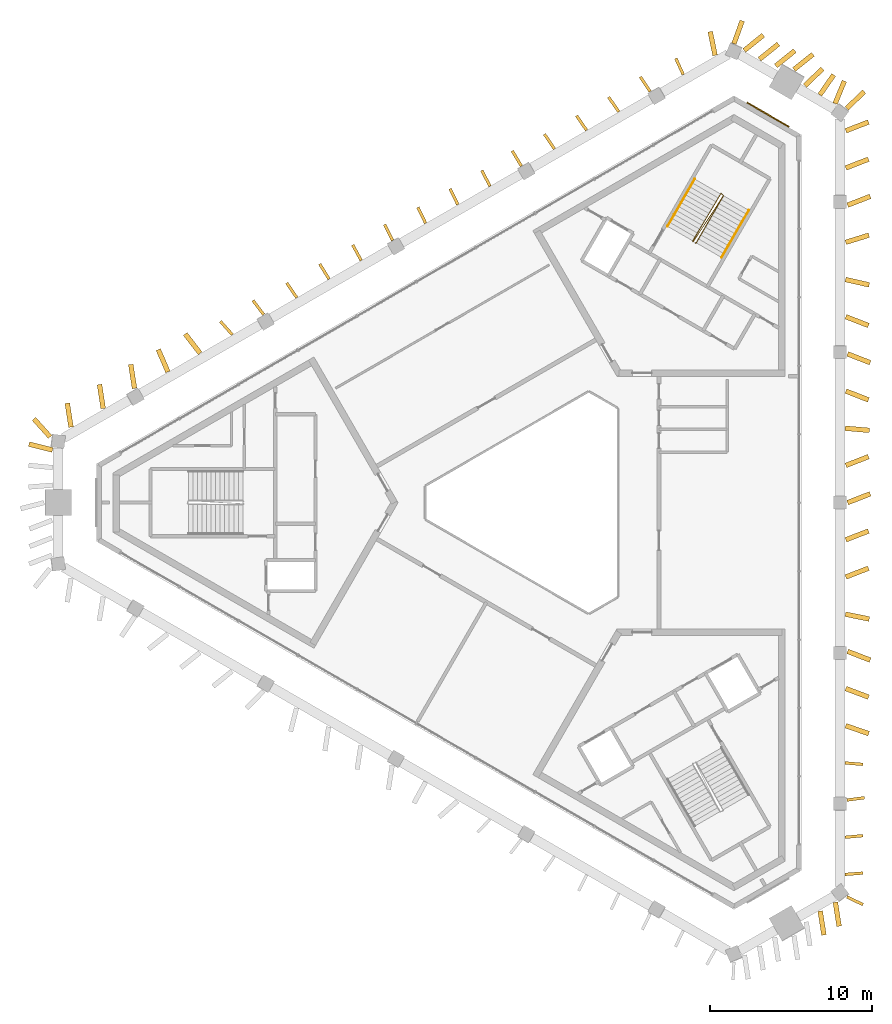
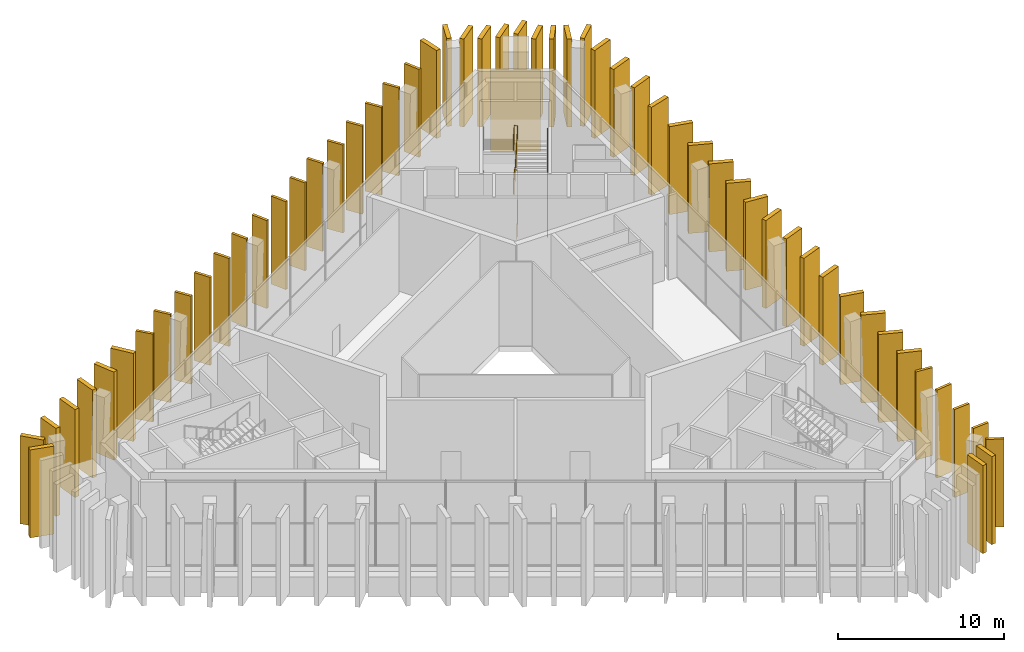
# One storey, part 13 of 13: 56 shading devices, 5 railings, 1 covering.
"""IFC4 building model written with IfcOpenShell, lengths in metres."""

from ifc_helpers import new_model, si_unit, direction, frame, frame_2d, origin, origin_2d, place, context, subcontext, project, spatial, rectangle, circle, extrude, material, layer, layer_set, type_object, element, save


model = new_model("IFC4")

# Units and contexts
model_context = context("Model", 3, precision=1e-05, world=origin(), true_north=direction((0.0, 1.0)))
body_context = subcontext(model_context, "Body", "Model", "MODEL_VIEW")
ifc_project = project(units=[si_unit("LENGTHUNIT", "METRE"), si_unit("AREAUNIT", "SQUARE_METRE"), si_unit("VOLUMEUNIT", "CUBIC_METRE"), si_unit("PLANEANGLEUNIT", "RADIAN"), si_unit("MASSUNIT", "GRAM", prefix="KILO")], contexts=[model_context])

# Site, building, storey
site_placement = place(None, origin())
site = spatial("IfcSite", under=ifc_project, at=site_placement, CompositionType="ELEMENT")
building_placement = place(site_placement, origin())
building = spatial("IfcBuilding", under=site, at=building_placement, Name="Jabali Bay Hotel Tower and Convention Centre", CompositionType="ELEMENT")
storey_placement = place(building_placement, frame((0.0, 0.0, 315.800048828125)))
storey = spatial("IfcBuildingStorey", under=building, at=storey_placement, Name="L77", CompositionType="ELEMENT", Elevation=315.800048828125)

# Shading devices
ifc_material_1 = material(Name="Precast concrete C60", Category="concrete")
ifc_layer_1 = layer(ifc_material_1, 0.179931640625)
ifc_layer_set_1 = layer_set([ifc_layer_1], Name="Precast concrete C60")
shading_device_type_1 = type_object("IfcShadingDeviceType", Name="Precast fin 6480 x 1100", PredefinedType="USERDEFINED", material=ifc_layer_set_1)
shading_device_1_placement = place(storey_placement, frame((93.57958984375, 57.056640625, 0.010009765625), z_axis=(0.0, 0.0, 1.0), x_axis=(0.996872890878, 0.079021765565, 0.0)))
element("IfcShadingDevice", 1, at=shading_device_1_placement, inside=storey, type_object=shading_device_type_1, Name="Fin L77 000", ObjectType="FIN", PredefinedType="USERDEFINED", context=body_context, shape_type="SweptSolid", body=[
    extrude(rectangle(XDim=1.099853515625, YDim=0.179931640625, at=frame_2d((0.5498046875, 0.0))), origin(), (0.0, 0.0, 1.0), 6.47998046875),
])
for number, where, z_axis, x_axis, name in (
    (2, (93.58056640625, 59.350830078125, 0.010009765625), (0.0, 0.0, 1.0), (0.995871346769, 0.09077588162, 0.0), "Fin L77 001"),
    (3, (93.69189453125, 61.645263671875, 0.010009765625), (0.0, 0.0, 1.0), (0.991183262489, 0.132498076065, 0.0), "Fin L77 002"),
):
    element("IfcShadingDevice", number, at=place(storey_placement, frame(where, z_axis=z_axis, x_axis=x_axis)), inside=storey, type_object=shading_device_type_1, Name=name, ObjectType="FIN", PredefinedType="USERDEFINED", context=body_context, shape_type="SweptSolid", body=[
        extrude(rectangle(XDim=1.10009765625, YDim=0.179931640625, at=frame_2d((0.550048828125, 0.0))), origin(), (0.0, 0.0, 1.0), 6.47998046875),
    ])
shading_device_2_placement = place(storey_placement, frame((93.580078125, 63.939697265625, 0.010009765625), z_axis=(0.0, 0.0, 1.0), x_axis=(0.996473431683, -0.083908878854, 0.0)))
element("IfcShadingDevice", 4, at=shading_device_2_placement, inside=storey, type_object=shading_device_type_1, Name="Fin L77 003", ObjectType="FIN", PredefinedType="USERDEFINED", context=body_context, shape_type="SweptSolid", body=[
    extrude(rectangle(XDim=1.099853515625, YDim=0.179931640625, at=frame_2d((0.5498046875, 0.0))), origin(), (0.0, 0.0, 1.0), 6.47998046875),
])
shading_device_3_placement = place(storey_placement, frame((83.59228515625, 106.416015625, 0.010009765625), z_axis=(0.0, 0.0, 1.0), x_axis=(-0.417044438413, 0.908886096488, 0.0)))
element("IfcShadingDevice", 5, at=shading_device_3_placement, inside=storey, type_object=shading_device_type_1, Name="Fin L77 029", ObjectType="FIN", PredefinedType="USERDEFINED", context=body_context, shape_type="SweptSolid", body=[
    extrude(rectangle(XDim=1.10009765625, YDim=0.179931640625, at=frame_2d((0.550048828125, 0.0))), origin(), (0.0, 0.0, 1.0), 6.47998046875),
])
for number, where, z_axis, x_axis, name in (
    (6, (81.552734375, 105.35986328125, 0.010009765625), (0.0, 0.0, 1.0), (-0.556235907854, 0.831024436953, 0.0), "Fin L77 030"),
    (7, (79.61865234375, 104.121337890625, 0.010009765625), (0.0, 0.0, 1.0), (-0.574415312802, 0.818564016079, 0.0), "Fin L77 031"),
    (8, (77.632080078125, 102.973388671875, 0.010009765625), (0.0, 0.0, 1.0), (-0.566425200883, 0.824113154733, 0.0), "Fin L77 032"),
):
    element("IfcShadingDevice", number, at=place(storey_placement, frame(where, z_axis=z_axis, x_axis=x_axis)), inside=storey, type_object=shading_device_type_1, Name=name, ObjectType="FIN", PredefinedType="USERDEFINED", context=body_context, shape_type="SweptSolid", body=[
        extrude(rectangle(XDim=1.099853515625, YDim=0.179931640625, at=frame_2d((0.5498046875, 0.0))), origin(), (0.0, 0.0, 1.0), 6.47998046875),
    ])
for number, where, z_axis, x_axis, name in (
    (9, (75.645263671875, 101.82568359375, 0.010009765625), (0.0, 0.0, 1.0), (-0.560627290637, 0.828068258656, 0.0), "Fin L77 033"),
    (10, (73.607177734375, 100.767333984375, 0.010009765625), (0.0, 0.0, 1.0), (-0.515539742918, 0.856865668277, 0.0), "Fin L77 034"),
    (11, (71.673095703125, 99.528564453125, 0.010009765625), (0.0, 0.0, 1.0), (-0.468040661997, 0.883706930332, 0.0), "Fin L77 035"),
):
    element("IfcShadingDevice", number, at=place(storey_placement, frame(where, z_axis=z_axis, x_axis=x_axis)), inside=storey, type_object=shading_device_type_1, Name=name, ObjectType="FIN", PredefinedType="USERDEFINED", context=body_context, shape_type="SweptSolid", body=[
        extrude(rectangle(XDim=1.10009765625, YDim=0.179931640625, at=frame_2d((0.550048828125, 0.0))), origin(), (0.0, 0.0, 1.0), 6.47998046875),
    ])
shading_device_4_placement = place(storey_placement, frame((69.684326171875, 98.38427734375, 0.010009765625), z_axis=(0.0, 0.0, 1.0), x_axis=(-0.434829759233, 0.900512676471, 0.0)))
element("IfcShadingDevice", 12, at=shading_device_4_placement, inside=storey, type_object=shading_device_type_1, Name="Fin L77 036", ObjectType="FIN", PredefinedType="USERDEFINED", context=body_context, shape_type="SweptSolid", body=[
    extrude(rectangle(XDim=1.099853515625, YDim=0.179931640625, at=frame_2d((0.5498046875, 0.0))), origin(), (0.0, 0.0, 1.0), 6.47998046875),
])
shading_device_5_placement = place(storey_placement, frame((67.697509765625, 97.237060546875, 0.010009765625), z_axis=(0.0, 0.0, 1.0), x_axis=(-0.434115881841, 0.900857037011, 0.0)))
element("IfcShadingDevice", 13, at=shading_device_5_placement, inside=storey, type_object=shading_device_type_1, Name="Fin L77 037", ObjectType="FIN", PredefinedType="USERDEFINED", context=body_context, shape_type="SweptSolid", body=[
    extrude(rectangle(XDim=1.10009765625, YDim=0.179931640625, at=frame_2d((0.550048828125, 0.0))), origin(), (0.0, 0.0, 1.0), 6.47998046875),
])
for number, where, z_axis, x_axis, name in (
    (14, (65.6572265625, 96.18212890625, 0.010009765625), (0.0, 0.0, 1.0), (-0.444814783853, 0.895622581262, 0.0), "Fin L77 038"),
    (15, (63.725830078125, 94.938720703125, 0.010009765625), (0.0, 0.0, 1.0), (-0.480981226833, 0.876730893396, 0.0), "Fin L77 039"),
):
    element("IfcShadingDevice", number, at=place(storey_placement, frame(where, z_axis=z_axis, x_axis=x_axis)), inside=storey, type_object=shading_device_type_1, Name=name, ObjectType="FIN", PredefinedType="USERDEFINED", context=body_context, shape_type="SweptSolid", body=[
        extrude(rectangle(XDim=1.099853515625, YDim=0.179931640625, at=frame_2d((0.5498046875, 0.0))), origin(), (0.0, 0.0, 1.0), 6.47998046875),
    ])
for number, where, z_axis, x_axis, name in (
    (16, (61.738525390625, 93.7919921875, 0.010009765625), (0.0, 0.0, 1.0), (-0.523800191345, 0.851841158636, 0.0), "Fin L77 040"),
    (17, (59.74951171875, 92.648681640625, 0.010009765625), (0.0, 0.0, 1.0), (-0.565662039445, 0.824637166959, 0.0), "Fin L77 041"),
    (18, (57.706787109375, 91.59814453125, 0.010009765625), (0.0, 0.0, 1.0), (-0.602553627562, 0.798078395843, 0.0), "Fin L77 042"),
):
    element("IfcShadingDevice", number, at=place(storey_placement, frame(where, z_axis=z_axis, x_axis=x_axis)), inside=storey, type_object=shading_device_type_1, Name=name, ObjectType="FIN", PredefinedType="USERDEFINED", context=body_context, shape_type="SweptSolid", body=[
        extrude(rectangle(XDim=1.10009765625, YDim=0.179931640625, at=frame_2d((0.550048828125, 0.0))), origin(), (0.0, 0.0, 1.0), 6.47998046875),
    ])
for number, where, z_axis, x_axis, name in (
    (19, (55.769775390625, 90.3642578125, 0.010009765625), (0.0, 0.0, 1.0), (-0.666963525344, 0.74509036758, 0.0), "Fin L77 043"),
    (20, (93.6943359375, 55.670166015625, 0.010009765625), (0.0, 0.0, 1.0), (0.901889903186, -0.431965973812, 0.0), "Fin L77 084"),
):
    element("IfcShadingDevice", number, at=place(storey_placement, frame(where, z_axis=z_axis, x_axis=x_axis)), inside=storey, type_object=shading_device_type_1, Name=name, ObjectType="FIN", PredefinedType="USERDEFINED", context=body_context, shape_type="SweptSolid", body=[
        extrude(rectangle(XDim=1.099853515625, YDim=0.179931640625, at=frame_2d((0.5498046875, 0.0))), origin(), (0.0, 0.0, 1.0), 6.47998046875),
    ])
ifc_layer_2 = layer(ifc_material_1, 0.300048828125)
ifc_layer_set_2 = layer_set([ifc_layer_2], Name="Precast concrete C60")
shading_device_type_2 = type_object("IfcShadingDeviceType", Name="Precast fin 6480 x 1500", PredefinedType="USERDEFINED", material=ifc_layer_set_2)
shading_device_6_placement = place(storey_placement, frame((93.620849609375, 66.23388671875, 0.010009765625), z_axis=(0.0, 0.0, 1.0), x_axis=(0.946163984953, -0.323687679063, 0.0)))
element("IfcShadingDevice", 21, at=shading_device_6_placement, inside=storey, type_object=shading_device_type_2, Name="Fin L77 004", ObjectType="FIN", PredefinedType="USERDEFINED", context=body_context, shape_type="SweptSolid", body=[
    extrude(rectangle(XDim=1.500244140625, YDim=0.300048828125, at=frame_2d((0.75, 0.0))), origin(), (0.0, 0.0, 1.0), 6.47998046875),
])
for number, where, z_axis, x_axis, name in (
    (22, (93.62548828125, 68.5283203125, 0.010009765625), (0.0, 0.0, 1.0), (0.935187216217, -0.354153738686, 0.0), "Fin L77 005"),
    (23, (93.73388671875, 70.822509765625, 0.010009765625), (0.0, 0.0, 1.0), (0.932811813391, -0.36036387277, 0.0), "Fin L77 006"),
):
    element("IfcShadingDevice", number, at=place(storey_placement, frame(where, z_axis=z_axis, x_axis=x_axis)), inside=storey, type_object=shading_device_type_2, Name=name, ObjectType="FIN", PredefinedType="USERDEFINED", context=body_context, shape_type="SweptSolid", body=[
        extrude(rectangle(XDim=1.5, YDim=0.300048828125, at=frame_2d((0.75, 0.0))), origin(), (0.0, 0.0, 1.0), 6.47998046875),
    ])
shading_device_7_placement = place(storey_placement, frame((93.6025390625, 73.116943359375, 0.010009765625), z_axis=(0.0, 0.0, 1.0), x_axis=(0.9797519579, -0.20021513677, 0.0)))
element("IfcShadingDevice", 24, at=shading_device_7_placement, inside=storey, type_object=shading_device_type_2, Name="Fin L77 007", ObjectType="FIN", PredefinedType="USERDEFINED", context=body_context, shape_type="SweptSolid", body=[
    extrude(rectangle(XDim=1.499755859375, YDim=0.300048828125, at=frame_2d((0.75, 0.0))), origin(), (0.0, 0.0, 1.0), 6.47998046875),
])
for number, where, z_axis, x_axis, name in (
    (25, (93.626708984375, 75.411376953125, 0.010009765625), (0.0, 0.0, 1.0), (0.932254906917, 0.361802140027, 0.0), "Fin L77 008"),
    (26, (93.626708984375, 77.70556640625, 0.010009765625), (0.0, 0.0, 1.0), (0.932254906917, 0.361802140027, 0.0), "Fin L77 009"),
    (27, (93.734130859375, 80.0, 0.010009765625), (0.0, 0.0, 1.0), (0.932254906917, 0.361802140027, 0.0), "Fin L77 010"),
    (28, (93.626708984375, 82.29443359375, 0.010009765625), (0.0, 0.0, 1.0), (0.932254906917, 0.361802140027, 0.0), "Fin L77 011"),
    (29, (93.58544921875, 84.588623046875, 0.010009765625), (0.0, 0.0, 1.0), (0.996272279882, -0.086264386267, 0.0), "Fin L77 012"),
    (30, (93.626708984375, 86.883056640625, 0.010009765625), (0.0, 0.0, 1.0), (0.932254906917, -0.361802140027, 0.0), "Fin L77 013"),
):
    element("IfcShadingDevice", number, at=place(storey_placement, frame(where, z_axis=z_axis, x_axis=x_axis)), inside=storey, type_object=shading_device_type_2, Name=name, ObjectType="FIN", PredefinedType="USERDEFINED", context=body_context, shape_type="SweptSolid", body=[
        extrude(rectangle(XDim=1.5, YDim=0.300048828125, at=frame_2d((0.75, 0.0))), origin(), (0.0, 0.0, 1.0), 6.47998046875),
    ])
shading_device_8_placement = place(storey_placement, frame((93.734130859375, 89.177490234375, 0.010009765625), z_axis=(0.0, 0.0, 1.0), x_axis=(0.932200003828, -0.361943576905, 0.0)))
element("IfcShadingDevice", 31, at=shading_device_8_placement, inside=storey, type_object=shading_device_type_2, Name="Fin L77 014", ObjectType="FIN", PredefinedType="USERDEFINED", context=body_context, shape_type="SweptSolid", body=[
    extrude(rectangle(XDim=1.500244140625, YDim=0.300048828125, at=frame_2d((0.75, 0.0))), origin(), (0.0, 0.0, 1.0), 6.47998046875),
])
for number, where, z_axis, x_axis, name in (
    (32, (93.626708984375, 91.4716796875, 0.010009765625), (0.0, 0.0, 1.0), (0.932254906917, -0.361802140027, 0.0), "Fin L77 015"),
    (33, (93.60546875, 93.76611328125, 0.010009765625), (0.0, 0.0, 1.0), (0.975450025837, -0.220220905216, 0.0), "Fin L77 016"),
):
    element("IfcShadingDevice", number, at=place(storey_placement, frame(where, z_axis=z_axis, x_axis=x_axis)), inside=storey, type_object=shading_device_type_2, Name=name, ObjectType="FIN", PredefinedType="USERDEFINED", context=body_context, shape_type="SweptSolid", body=[
        extrude(rectangle(XDim=1.5, YDim=0.300048828125, at=frame_2d((0.75, 0.0))), origin(), (0.0, 0.0, 1.0), 6.47998046875),
    ])
shading_device_9_placement = place(storey_placement, frame((93.61669921875, 96.060302734375, 0.010009765625), z_axis=(0.0, 0.0, 1.0), x_axis=(0.955281512697, 0.295697871988, 0.0)))
element("IfcShadingDevice", 34, at=shading_device_9_placement, inside=storey, type_object=shading_device_type_2, Name="Fin L77 017", ObjectType="FIN", PredefinedType="USERDEFINED", context=body_context, shape_type="SweptSolid", body=[
    extrude(rectangle(XDim=1.500244140625, YDim=0.300048828125, at=frame_2d((0.75, 0.0))), origin(), (0.0, 0.0, 1.0), 6.47998046875),
])
for number, where, z_axis, x_axis, name in (
    (35, (93.734130859375, 98.354736328125, 0.010009765625), (0.0, 0.0, 1.0), (0.932254906917, 0.361802140027, 0.0), "Fin L77 018"),
    (36, (93.626708984375, 100.649169921875, 0.010009765625), (0.0, 0.0, 1.0), (0.932254906917, 0.361802140027, 0.0), "Fin L77 019"),
    (37, (93.626708984375, 102.943359375, 0.010009765625), (0.0, 0.0, 1.0), (0.932254906917, 0.361802140027, 0.0), "Fin L77 020"),
):
    element("IfcShadingDevice", number, at=place(storey_placement, frame(where, z_axis=z_axis, x_axis=x_axis)), inside=storey, type_object=shading_device_type_2, Name=name, ObjectType="FIN", PredefinedType="USERDEFINED", context=body_context, shape_type="SweptSolid", body=[
        extrude(rectangle(XDim=1.5, YDim=0.300048828125, at=frame_2d((0.75, 0.0))), origin(), (0.0, 0.0, 1.0), 6.47998046875),
    ])
shading_device_10_placement = place(storey_placement, frame((92.96484375, 104.62646484375, 0.010009765625), z_axis=(0.0, 0.0, 1.0), x_axis=(0.381134471623, 0.924519612848, 0.0)))
element("IfcShadingDevice", 38, at=shading_device_10_placement, inside=storey, type_object=shading_device_type_2, Name="Fin L77 021", ObjectType="FIN", PredefinedType="USERDEFINED", context=body_context, shape_type="SweptSolid", body=[
    extrude(rectangle(XDim=1.500244140625, YDim=0.300048828125, at=frame_2d((0.75, 0.0))), origin(), (0.0, 0.0, 1.0), 6.47998046875),
])
for number, where, z_axis, x_axis, name in (
    (39, (92.0244140625, 105.160888671875, 0.010009765625), (0.0, 0.0, 1.0), (0.56963305943, 0.821899128607, 0.0), "Fin L77 022"),
    (40, (91.1025390625, 105.72705078125, 0.010009765625), (0.0, 0.0, 1.0), (0.720886233518, 0.693053416645, 0.0), "Fin L77 023"),
):
    element("IfcShadingDevice", number, at=place(storey_placement, frame(where, z_axis=z_axis, x_axis=x_axis)), inside=storey, type_object=shading_device_type_2, Name=name, ObjectType="FIN", PredefinedType="USERDEFINED", context=body_context, shape_type="SweptSolid", body=[
        extrude(rectangle(XDim=1.5, YDim=0.300048828125, at=frame_2d((0.75, 0.0))), origin(), (0.0, 0.0, 1.0), 6.47998046875),
    ])
shading_device_11_placement = place(storey_placement, frame((90.428466796875, 106.722900390625, 0.010009765625), z_axis=(0.0, 0.0, 1.0), x_axis=(0.77953306199, 0.626361082176, 0.0)))
element("IfcShadingDevice", 41, at=shading_device_11_placement, inside=storey, type_object=shading_device_type_2, Name="Fin L77 024", ObjectType="FIN", PredefinedType="USERDEFINED", context=body_context, shape_type="SweptSolid", body=[
    extrude(rectangle(XDim=1.499755859375, YDim=0.300048828125, at=frame_2d((0.75, 0.0))), origin(), (0.0, 0.0, 1.0), 6.47998046875),
])
for number, where, z_axis, x_axis, name in (
    (42, (89.30908203125, 106.947265625, 0.010009765625), (0.0, 0.0, 1.0), (0.779453585439, 0.626459981281, 0.0), "Fin L77 025"),
    (43, (88.298583984375, 107.3603515625, 0.010009765625), (0.0, 0.0, 1.0), (0.779453585439, 0.626459981281, 0.0), "Fin L77 026"),
    (44, (87.362060546875, 107.901123046875, 0.010009765625), (0.0, 0.0, 1.0), (0.779453585439, 0.626459981281, 0.0), "Fin L77 027"),
):
    element("IfcShadingDevice", number, at=place(storey_placement, frame(where, z_axis=z_axis, x_axis=x_axis)), inside=storey, type_object=shading_device_type_2, Name=name, ObjectType="FIN", PredefinedType="USERDEFINED", context=body_context, shape_type="SweptSolid", body=[
        extrude(rectangle(XDim=1.5, YDim=0.300048828125, at=frame_2d((0.75, 0.0))), origin(), (0.0, 0.0, 1.0), 6.47998046875),
    ])
shading_device_12_placement = place(storey_placement, frame((85.559814453125, 107.596923828125, 0.010009765625), z_axis=(0.0, 0.0, 1.0), x_axis=(-0.201685071404, 0.979450423438, 0.0)))
element("IfcShadingDevice", 45, at=shading_device_12_placement, inside=storey, type_object=shading_device_type_2, Name="Fin L77 028", ObjectType="FIN", PredefinedType="USERDEFINED", context=body_context, shape_type="SweptSolid", body=[
    extrude(rectangle(XDim=1.499755859375, YDim=0.300048828125, at=frame_2d((0.75, 0.0))), origin(), (0.0, 0.0, 1.0), 6.47998046875),
])
for number, where, z_axis, x_axis, name in (
    (46, (53.781982421875, 89.218505859375, 0.010009765625), (0.0, 0.0, 1.0), (-0.610984185284, 0.791642801605, 0.0), "Fin L77 044"),
    (47, (51.79638671875, 88.069091796875, 0.010009765625), (0.0, 0.0, 1.0), (-0.395843547095, 0.918317965752, 0.0), "Fin L77 045"),
    (48, (49.7373046875, 87.046630859375, 0.010009765625), (0.0, 0.0, 1.0), (-0.154625132097, 0.987973212453, 0.0), "Fin L77 046"),
):
    element("IfcShadingDevice", number, at=place(storey_placement, frame(where, z_axis=z_axis, x_axis=x_axis)), inside=storey, type_object=shading_device_type_2, Name=name, ObjectType="FIN", PredefinedType="USERDEFINED", context=body_context, shape_type="SweptSolid", body=[
        extrude(rectangle(XDim=1.5, YDim=0.300048828125, at=frame_2d((0.75, 0.0))), origin(), (0.0, 0.0, 1.0), 6.47998046875),
    ])
shading_device_13_placement = place(storey_placement, frame((47.803955078125, 85.806640625, 0.010009765625), z_axis=(0.0, 0.0, 1.0), x_axis=(-0.153011198733, 0.988224454799, 0.0)))
element("IfcShadingDevice", 49, at=shading_device_13_placement, inside=storey, type_object=shading_device_type_2, Name="Fin L77 047", ObjectType="FIN", PredefinedType="USERDEFINED", context=body_context, shape_type="SweptSolid", body=[
    extrude(rectangle(XDim=1.499755859375, YDim=0.300048828125, at=frame_2d((0.75, 0.0))), origin(), (0.0, 0.0, 1.0), 6.47998046875),
])
for number, where, z_axis, x_axis, name in (
    (50, (45.817138671875, 84.659423828125, 0.010009765625), (0.0, 0.0, 1.0), (-0.152827640661, 0.988252858458, 0.0), "Fin L77 048"),
    (51, (44.675048828125, 83.244873046875, 0.010009765625), (0.0, 0.0, 1.0), (-0.969661935485, 0.244449853491, 0.0), "Fin L77 049"),
):
    element("IfcShadingDevice", number, at=place(storey_placement, frame(where, z_axis=z_axis, x_axis=x_axis)), inside=storey, type_object=shading_device_type_2, Name=name, ObjectType="FIN", PredefinedType="USERDEFINED", context=body_context, shape_type="SweptSolid", body=[
        extrude(rectangle(XDim=1.5, YDim=0.300048828125, at=frame_2d((0.75, 0.0))), origin(), (0.0, 0.0, 1.0), 6.47998046875),
    ])
shading_device_14_placement = place(storey_placement, frame((92.04541015625, 54.802734375, 0.010009765625), z_axis=(0.0, 0.0, 1.0), x_axis=(0.15285222595, -0.988249056171, 0.0)))
element("IfcShadingDevice", 52, at=shading_device_14_placement, inside=storey, type_object=shading_device_type_2, Name="Fin L77 082", ObjectType="FIN", PredefinedType="USERDEFINED", context=body_context, shape_type="SweptSolid", body=[
    extrude(rectangle(XDim=1.499755859375, YDim=0.300048828125, at=frame_2d((0.75, 0.0))), origin(), (0.0, 0.0, 1.0), 6.47998046875),
])
for number, where, z_axis, x_axis, name in (
    (53, (92.982177734375, 55.34375, 0.010009765625), (0.0, 0.0, 1.0), (0.152827640661, -0.988252858458, 0.0), "Fin L77 083"),
    (54, (93.677734375, 104.3203125, 0.010009765625), (0.0, 0.0, 1.0), (0.722797364389, 0.691060033595, 0.0), "Fin L77 085"),
    (55, (86.72314453125, 108.318359375, 0.010009765625), (0.0, 0.0, 1.0), (0.339860442393, 0.94047587938, 0.0), "Fin L77 086"),
    (56, (44.529296875, 84.0556640625, 0.010009765625), (0.0, 0.0, 1.0), (-0.669108595814, 0.743164643271, 0.0), "Fin L77 087"),
):
    element("IfcShadingDevice", number, at=place(storey_placement, frame(where, z_axis=z_axis, x_axis=x_axis)), inside=storey, type_object=shading_device_type_2, Name=name, ObjectType="FIN", PredefinedType="USERDEFINED", context=body_context, shape_type="SweptSolid", body=[
        extrude(rectangle(XDim=1.5, YDim=0.300048828125, at=frame_2d((0.75, 0.0))), origin(), (0.0, 0.0, 1.0), 6.47998046875),
    ])

# Covering
ifc_material_2 = material(Name="Precast concrete C40/50", Category="concrete")
ifc_layer_3 = layer(ifc_material_2, 0.080078125)
ifc_layer_set_3 = layer_set([ifc_layer_3], Name="Precast concrete C40/50")
covering_type = type_object("IfcCoveringType", Name="Relief panel 3000 x 6000", PredefinedType="CLADDING", material=ifc_layer_set_3)
covering_placement = place(storey_placement, frame((88.821533203125, 103.939697265625, 0.099853515625), z_axis=(0.0, 0.0, 1.0), x_axis=(0.866025407005, -0.499999994423, 0.0)))
element("IfcCovering", 57, at=covering_placement, inside=storey, type_object=covering_type, Name="Relief panel L77", PredefinedType="CLADDING", context=body_context, shape_type="SweptSolid", body=[
    extrude(rectangle(XDim=3.0, YDim=0.080078125, at=origin_2d()), origin(), (0.0, 0.0, 1.0), 6.0),
])

# Railings
ifc_material_3 = material(Name="Steel Q355B", Category="steel")
railing_type_1 = type_object("IfcRailingType", Name="Stair guard 1100", PredefinedType="GUARDRAIL", material=ifc_material_3)
railing_1_placement = place(storey_placement, frame((84.329833984375, 96.010009765625, 0.0)))
element("IfcRailing", 58, at=railing_1_placement, inside=storey, type_object=railing_type_1, Name="L77 ST2 stair guard 1", PredefinedType="GUARDRAIL", context=body_context, shape_type="SweptSolid", body=[
    extrude(circle(Radius=0.02392578125, at=origin_2d()), frame((0.0, 0.0, 1.076171875), z_axis=(0.475898071169, 0.127472697635, 0.870213615852), x_axis=(-0.258736085224, 0.965948051503, 0.0)), (0.0, 0.0, 1.0), 0.1435546875),
    extrude(circle(Radius=0.02392578125, at=origin_2d()), frame((0.068359375, 0.018310546875, 1.201171875), z_axis=(0.456624160301, 0.790765292425, 0.407657489231), x_axis=(-0.865989548921, 0.500062097304, 0.0)), (0.0, 0.0, 1.0), 3.679443359375),
    extrude(circle(Radius=0.02392578125, at=origin_2d()), frame((1.74853515625, 2.927978515625, 2.701171875), z_axis=(-0.719421848781, 0.694573396767, 0.0), x_axis=(-0.694573396767, -0.719421848781, 0.0)), (0.0, 0.0, 1.0), 0.206298828125),
    extrude(circle(Radius=0.02392578125, at=origin_2d()), frame((1.60009765625, 3.0712890625, 2.701171875), z_axis=(-0.462805620812, -0.775091161904, 0.430168162564), x_axis=(0.858590100392, -0.512662695648, 0.0)), (0.0, 0.0, 1.0), 3.777587890625),
    extrude(circle(Radius=0.02392578125, at=origin_2d()), frame((-0.148193359375, 0.143310546875, 4.326171875), z_axis=(0.258736085224, -0.965948051503, 0.0), x_axis=(0.965948051503, 0.258736085224, 0.0)), (0.0, 0.0, 1.0), 0.07080078125),
    extrude(circle(Radius=0.02392578125, at=origin_2d()), frame((-0.1298828125, 0.074951171875, 4.326171875), z_axis=(0.496580839334, 0.754229748955, 0.429586959528), x_axis=(-0.835225310165, 0.549907884341, 0.0)), (0.0, 0.0, 1.0), 3.78271484375),
    extrude(circle(Radius=0.02392578125, at=origin_2d()), frame((1.74853515625, 2.927978515625, 5.951171875), z_axis=(-0.719421848781, 0.694573396767, 0.0), x_axis=(-0.694573396767, -0.719421848781, 0.0)), (0.0, 0.0, 1.0), 0.206298828125),
    extrude(circle(Radius=0.02392578125, at=origin_2d()), frame((1.60009765625, 3.0712890625, 5.951171875), z_axis=(-0.462805620812, -0.775091161904, 0.430168162564), x_axis=(0.858590100392, -0.512662695648, 0.0)), (0.0, 0.0, 1.0), 3.777587890625),
    extrude(circle(Radius=0.02099609375, at=origin_2d()), origin(), (0.0, 0.0, 1.0), 1.052001953125),
    extrude(circle(Radius=0.02099609375, at=origin_2d()), frame((0.068359375, 0.018310546875, 0.125)), (0.0, 0.0, 1.0), 1.052001953125),
    extrude(circle(Radius=0.02099609375, at=origin_2d()), frame((0.48828125, 0.74560546875, 0.5)), (0.0, 0.0, 1.0), 1.052001953125),
    extrude(circle(Radius=0.02099609375, at=origin_2d()), frame((0.908447265625, 1.47314453125, 0.875)), (0.0, 0.0, 1.0), 1.052001953125),
    extrude(circle(Radius=0.02099609375, at=origin_2d()), frame((1.32861328125, 2.20068359375, 1.25)), (0.0, 0.0, 1.0), 1.052001953125),
    extrude(circle(Radius=0.02099609375, at=origin_2d()), frame((1.74853515625, 2.927978515625, 1.625)), (0.0, 0.0, 1.0), 1.052001953125),
    extrude(circle(Radius=0.02099609375, at=origin_2d()), frame((1.60009765625, 3.0712890625, 1.625)), (0.0, 0.0, 1.0), 1.052001953125),
    extrude(circle(Radius=0.02099609375, at=origin_2d()), frame((1.1630859375, 2.33935546875, 2.03125)), (0.0, 0.0, 1.0), 1.052001953125),
    extrude(circle(Radius=0.02099609375, at=origin_2d()), frame((0.72607421875, 1.607421875, 2.4375)), (0.0, 0.0, 1.0), 1.052001953125),
    extrude(circle(Radius=0.02099609375, at=origin_2d()), frame((0.288818359375, 0.875244140625, 2.84375)), (0.0, 0.0, 1.0), 1.052001953125),
    extrude(circle(Radius=0.02099609375, at=origin_2d()), frame((-0.148193359375, 0.143310546875, 3.25)), (0.0, 0.0, 1.0), 1.052001953125),
    extrude(circle(Radius=0.02099609375, at=origin_2d()), frame((-0.1298828125, 0.074951171875, 3.25)), (0.0, 0.0, 1.0), 1.052001953125),
    extrude(circle(Radius=0.02099609375, at=origin_2d()), frame((0.33984375, 0.7880859375, 3.65625)), (0.0, 0.0, 1.0), 1.052001953125),
    extrude(circle(Radius=0.02099609375, at=origin_2d()), frame((0.809326171875, 1.50146484375, 4.0625)), (0.0, 0.0, 1.0), 1.052001953125),
    extrude(circle(Radius=0.02099609375, at=origin_2d()), frame((1.27880859375, 2.21484375, 4.46875)), (0.0, 0.0, 1.0), 1.052001953125),
    extrude(circle(Radius=0.02099609375, at=origin_2d()), frame((1.74853515625, 2.927978515625, 4.875)), (0.0, 0.0, 1.0), 1.052001953125),
    extrude(circle(Radius=0.02099609375, at=origin_2d()), frame((1.60009765625, 3.0712890625, 4.875)), (0.0, 0.0, 1.0), 1.052001953125),
    extrude(circle(Radius=0.02099609375, at=origin_2d()), frame((1.1630859375, 2.33935546875, 5.28125)), (0.0, 0.0, 1.0), 1.052001953125),
    extrude(circle(Radius=0.02099609375, at=origin_2d()), frame((0.72607421875, 1.607421875, 5.6875)), (0.0, 0.0, 1.0), 1.052001953125),
    extrude(circle(Radius=0.02099609375, at=origin_2d()), frame((0.288818359375, 0.875244140625, 6.09375)), (0.0, 0.0, 1.0), 1.052001953125),
    extrude(circle(Radius=0.02099609375, at=origin_2d()), frame((-0.148193359375, 0.143310546875, 6.5)), (0.0, 0.0, 1.0), 1.052001953125),
])
railing_type_2 = type_object("IfcRailingType", Name="Stair handrail 900", PredefinedType="HANDRAIL", material=ifc_material_3)
railing_2_placement = place(storey_placement, frame((85.95703125, 95.128173828125, 0.125)))
element("IfcRailing", 59, at=railing_2_placement, inside=storey, type_object=railing_type_2, Name="L77 ST2 stair handrail 1", PredefinedType="HANDRAIL", context=body_context, shape_type="SweptSolid", body=[
    extrude(circle(Radius=0.02392578125, at=origin_2d()), frame((0.0, 0.0, 0.8759765625), z_axis=(0.456600203173, 0.790790151355, 0.407636101177), x_axis=(-0.866007717299, 0.500030632641, 0.0)), (0.0, 0.0, 1.0), 3.6796875),
    extrude(circle(Radius=0.02099609375, at=origin_2d()), origin(), (0.0, 0.0, 1.0), 0.851806640625),
    extrude(circle(Radius=0.02099609375, at=origin_2d()), frame((0.419921875, 0.7275390625, 0.375)), (0.0, 0.0, 1.0), 0.851806640625),
    extrude(circle(Radius=0.02099609375, at=origin_2d()), frame((0.840087890625, 1.455078125, 0.75)), (0.0, 0.0, 1.0), 0.851806640625),
    extrude(circle(Radius=0.02099609375, at=origin_2d()), frame((1.26025390625, 2.182373046875, 1.125)), (0.0, 0.0, 1.0), 0.851806640625),
    extrude(circle(Radius=0.02099609375, at=origin_2d()), frame((1.68017578125, 2.909912109375, 1.5)), (0.0, 0.0, 1.0), 0.851806640625),
])
railing_3_placement = place(storey_placement, frame((84.302978515625, 99.963134765625, 1.75)))
element("IfcRailing", 60, at=railing_3_placement, inside=storey, type_object=railing_type_2, Name="L77 ST2 stair handrail 2", PredefinedType="HANDRAIL", context=body_context, shape_type="SweptSolid", body=[
    extrude(circle(Radius=0.02392578125, at=origin_2d()), frame((0.0, 0.0, 0.8759765625), z_axis=(-0.456600203173, -0.790790151355, 0.407636101177), x_axis=(0.866007717299, -0.500030632641, 0.0)), (0.0, 0.0, 1.0), 3.6796875),
    extrude(circle(Radius=0.02099609375, at=origin_2d()), origin(), (0.0, 0.0, 1.0), 0.851806640625),
    extrude(circle(Radius=0.02099609375, at=origin_2d()), frame((-0.419921875, -0.7275390625, 0.375)), (0.0, 0.0, 1.0), 0.851806640625),
    extrude(circle(Radius=0.02099609375, at=origin_2d()), frame((-0.840087890625, -1.455078125, 0.75)), (0.0, 0.0, 1.0), 0.851806640625),
    extrude(circle(Radius=0.02099609375, at=origin_2d()), frame((-1.26025390625, -2.182373046875, 1.125)), (0.0, 0.0, 1.0), 0.851806640625),
    extrude(circle(Radius=0.02099609375, at=origin_2d()), frame((-1.68017578125, -2.909912109375, 1.5)), (0.0, 0.0, 1.0), 0.851806640625),
])
railing_4_placement = place(storey_placement, frame((85.95703125, 95.128173828125, 3.375)))
element("IfcRailing", 61, at=railing_4_placement, inside=storey, type_object=railing_type_2, Name="L77 ST2 stair handrail 3", PredefinedType="HANDRAIL", context=body_context, shape_type="SweptSolid", body=[
    extrude(circle(Radius=0.02392578125, at=origin_2d()), frame((0.0, 0.0, 0.8759765625), z_axis=(0.456600203173, 0.790790151355, 0.407636101177), x_axis=(-0.866007717299, 0.500030632641, 0.0)), (0.0, 0.0, 1.0), 3.6796875),
    extrude(circle(Radius=0.02099609375, at=origin_2d()), origin(), (0.0, 0.0, 1.0), 0.851806640625),
    extrude(circle(Radius=0.02099609375, at=origin_2d()), frame((0.419921875, 0.7275390625, 0.375)), (0.0, 0.0, 1.0), 0.851806640625),
    extrude(circle(Radius=0.02099609375, at=origin_2d()), frame((0.840087890625, 1.455078125, 0.75)), (0.0, 0.0, 1.0), 0.851806640625),
    extrude(circle(Radius=0.02099609375, at=origin_2d()), frame((1.26025390625, 2.182373046875, 1.125)), (0.0, 0.0, 1.0), 0.851806640625),
    extrude(circle(Radius=0.02099609375, at=origin_2d()), frame((1.68017578125, 2.909912109375, 1.5)), (0.0, 0.0, 1.0), 0.851806640625),
])
railing_5_placement = place(storey_placement, frame((84.302978515625, 99.963134765625, 5.0)))
element("IfcRailing", 62, at=railing_5_placement, inside=storey, type_object=railing_type_2, Name="L77 ST2 stair handrail 4", PredefinedType="HANDRAIL", context=body_context, shape_type="SweptSolid", body=[
    extrude(circle(Radius=0.02392578125, at=origin_2d()), frame((0.0, 0.0, 0.8759765625), z_axis=(-0.456600203173, -0.790790151355, 0.407636101177), x_axis=(0.866007717299, -0.500030632641, 0.0)), (0.0, 0.0, 1.0), 3.6796875),
    extrude(circle(Radius=0.02099609375, at=origin_2d()), origin(), (0.0, 0.0, 1.0), 0.851806640625),
    extrude(circle(Radius=0.02099609375, at=origin_2d()), frame((-0.419921875, -0.7275390625, 0.375)), (0.0, 0.0, 1.0), 0.851806640625),
    extrude(circle(Radius=0.02099609375, at=origin_2d()), frame((-0.840087890625, -1.455078125, 0.75)), (0.0, 0.0, 1.0), 0.851806640625),
    extrude(circle(Radius=0.02099609375, at=origin_2d()), frame((-1.26025390625, -2.182373046875, 1.125)), (0.0, 0.0, 1.0), 0.851806640625),
    extrude(circle(Radius=0.02099609375, at=origin_2d()), frame((-1.68017578125, -2.909912109375, 1.5)), (0.0, 0.0, 1.0), 0.851806640625),
])

save(model, "model.ifc")
